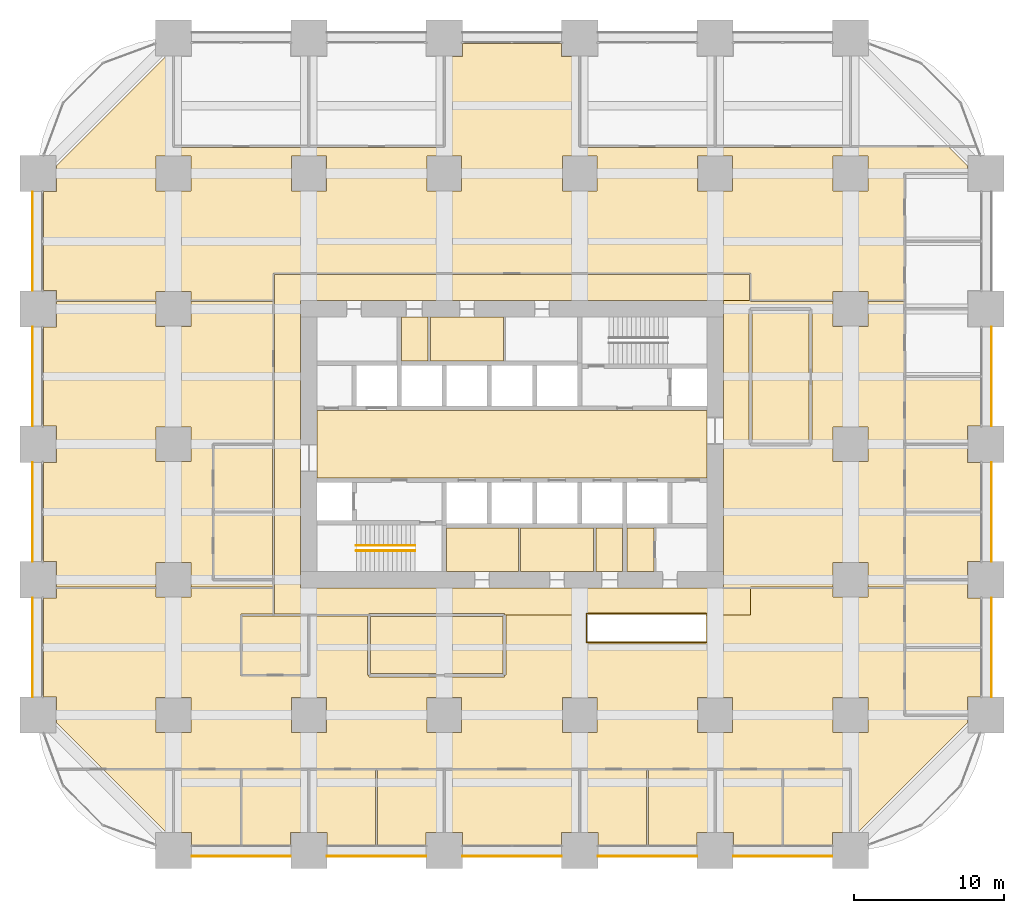
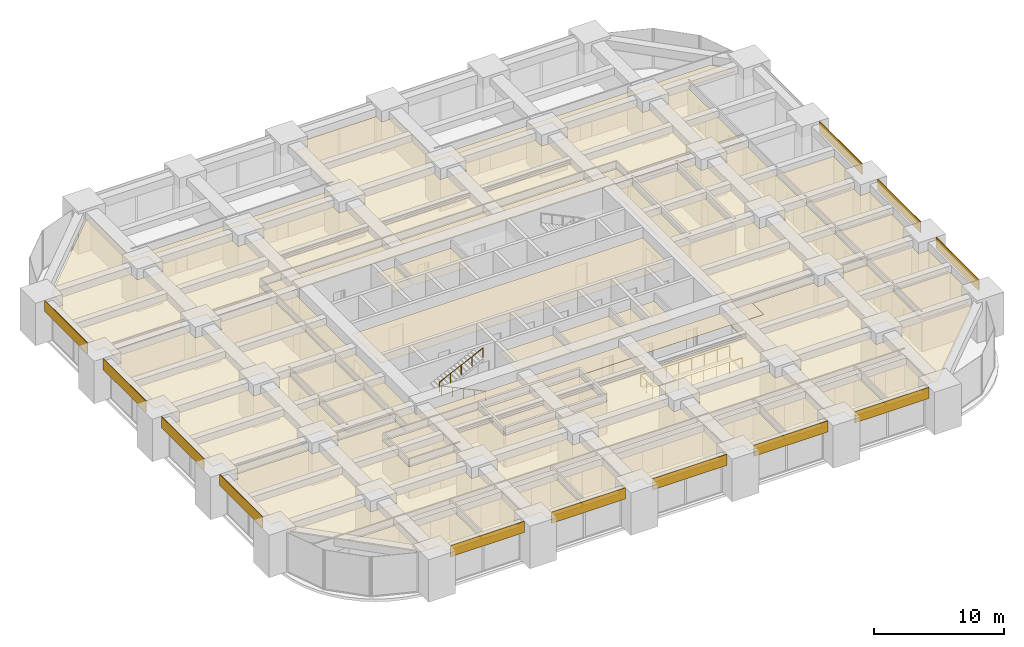
# One storey, part 44 of 45: 44 coverings, 3 railings.
"""IFC4 building model written with IfcOpenShell, lengths in metres."""

import ifcopenshell
import ifcopenshell.guid

model = None  # the IFC model being written
_history = None  # IfcOwnerHistory: only IFC2X3 demands one
_inside = {}  # id of a spatial element -> (the spatial element, [elements in it])
_under = {}  # id of a project, library or spatial element -> (it, [spatial elements below it])
_declared = {}  # id of a project -> (the project, [libraries it declares])
_typed = {}  # id of a type object -> (the type object, [elements of that type])
_made_of = {}  # id of a material, layer set ... -> (it, [elements and type objects made of it])


def new_model(schema):
    """Start an empty IFC model of exactly this schema.

    Asked for "IFC4X3", IfcOpenShell would pick the latest addendum, in which some entities
    have other attributes; the version numbers below select the first issue.
    IFC2X3 requires an IfcOwnerHistory on every rooted entity: one is made here for all.
    """
    global model, _history
    if schema == "IFC4X3":
        model = ifcopenshell.file(schema_version=(4, 3, 0, 0))
    else:
        model = ifcopenshell.file(schema=schema)
    _inside.clear()
    _under.clear()
    _declared.clear()
    _typed.clear()
    _made_of.clear()
    _history = None
    if model.schema == "IFC2X3":
        org = make("IfcOrganization", Name="unknown")
        user = make(
            "IfcPersonAndOrganization",
            ThePerson=make("IfcPerson", FamilyName="unknown"),
            TheOrganization=org,
        )
        app = make(
            "IfcApplication",
            ApplicationDeveloper=org,
            Version="unknown",
            ApplicationFullName="unknown",
            ApplicationIdentifier="unknown",
        )
        _history = make(
            "IfcOwnerHistory",
            OwningUser=user,
            OwningApplication=app,
            ChangeAction="ADDED",
            CreationDate=0,
        )
    return model


def make(cls, **values):
    """One entity of the class cls with the attributes given. An attribute that is None is left unset."""
    return model.create_entity(
        cls, **{name: value for name, value in values.items() if value is not None}
    )


def rooted(cls, **values):
    """An entity with a GlobalId (a new one), such as an element, a storey or a relation."""
    return make(cls, GlobalId=ifcopenshell.guid.new(), OwnerHistory=_history, **values)


def si_unit(unit_type, name, prefix=None):
    """IfcSIUnit, for example si_unit("LENGTHUNIT", "METRE", prefix="MILLI")."""
    return make("IfcSIUnit", UnitType=unit_type, Prefix=prefix, Name=name)


def assignment(units):
    """IfcUnitAssignment: the units of a project."""
    return None if units is None else make("IfcUnitAssignment", Units=units)


def point(xyz):
    """IfcCartesianPoint."""
    return None if xyz is None else make("IfcCartesianPoint", Coordinates=xyz)


def direction(xyz):
    """IfcDirection."""
    return None if xyz is None else make("IfcDirection", DirectionRatios=xyz)


def frame(location, z_axis=None, x_axis=None):
    """IfcAxis2Placement3D, a coordinate frame: its origin and axes. An axis left out is left unset."""
    return make(
        "IfcAxis2Placement3D",
        Location=point(location),
        Axis=direction(z_axis),
        RefDirection=direction(x_axis),
    )


def frame_2d(location, x_axis=None):
    """IfcAxis2Placement2D, a coordinate frame in the plane: its origin and x axis."""
    return make(
        "IfcAxis2Placement2D", Location=point(location), RefDirection=direction(x_axis)
    )


def origin():
    """The frame at (0, 0, 0) with its axes left unset."""
    return frame((0.0, 0.0, 0.0))


def origin_2d():
    """The frame at (0, 0) in the plane with its x axis left unset."""
    return frame_2d((0.0, 0.0))


def place(relative_to, where):
    """IfcLocalPlacement: puts the frame where relative to a parent placement (None: the world)."""
    return make(
        "IfcLocalPlacement", PlacementRelTo=relative_to, RelativePlacement=where
    )


def context(
    kind, dimensions, precision=None, world=None, true_north=None, identifier=None
):
    """IfcGeometricRepresentationContext, for example the 3D "Model" context."""
    return make(
        "IfcGeometricRepresentationContext",
        ContextIdentifier=identifier,
        ContextType=kind,
        CoordinateSpaceDimension=dimensions,
        Precision=precision,
        WorldCoordinateSystem=world,
        TrueNorth=true_north,
    )


def subcontext(parent, identifier, kind, view, scale=None):
    """IfcGeometricRepresentationSubContext, for example "Body" below "Model"."""
    return make(
        "IfcGeometricRepresentationSubContext",
        ContextIdentifier=identifier,
        ContextType=kind,
        ParentContext=parent,
        TargetScale=scale,
        TargetView=view,
    )


def project(units=None, contexts=None):
    """IfcProject with its units and contexts."""
    return rooted(
        "IfcProject",
        Name="project",
        RepresentationContexts=contexts,
        UnitsInContext=assignment(units),
    )


def spatial(cls, under=None, at=None, **own):
    """A site, building, storey or space (cls), placed at a placement, below another one or the project."""
    s = rooted(cls, ObjectPlacement=at, **own)
    if under is not None:
        _under.setdefault(under.id(), (under, []))[1].append(s)
    return s


def polyline(points):
    """IfcPolyline through the points."""
    return make("IfcPolyline", Points=[point(p) for p in points])


def profile(cls, at=None, kind="AREA", **sizes):
    """A parametric profile (cls). Its sizes go by their IFC names, for example OverallWidth=200.0."""
    return make(cls, ProfileType=kind, Position=at, **sizes)


def rectangle(**sizes):
    """IfcRectangleProfileDef."""
    return profile("IfcRectangleProfileDef", **sizes)


def circle(**sizes):
    """IfcCircleProfileDef."""
    return profile("IfcCircleProfileDef", **sizes)


def outline(outer, holes=None, kind="AREA"):
    """IfcArbitraryClosedProfileDef: a profile drawn as a closed curve; with holes, ...WithVoids."""
    if holes is None:
        return make("IfcArbitraryClosedProfileDef", ProfileType=kind, OuterCurve=outer)
    return make(
        "IfcArbitraryProfileDefWithVoids",
        ProfileType=kind,
        OuterCurve=outer,
        InnerCurves=holes,
    )


def extrude(swept, where, along, depth):
    """IfcExtrudedAreaSolid: the profile swept, set in the frame where, extruded along a direction by depth."""
    return make(
        "IfcExtrudedAreaSolid",
        SweptArea=swept,
        Position=where,
        ExtrudedDirection=direction(along),
        Depth=depth,
    )


def shape(context_of_items, identifier, shape_type, items):
    """IfcShapeRepresentation: the items that make up one representation, for example the "Body"."""
    return make(
        "IfcShapeRepresentation",
        ContextOfItems=context_of_items,
        RepresentationIdentifier=identifier,
        RepresentationType=shape_type,
        Items=items,
    )


def material(Name=None, Category=None):
    """IfcMaterial."""
    return make("IfcMaterial", Name=Name, Category=Category)


def layer(
    of_material, thickness, ventilated=None, Name=None, Category=None, Priority=None
):
    """IfcMaterialLayer: one layer of a wall or slab, of a material (None: an air gap)."""
    return make(
        "IfcMaterialLayer",
        Material=of_material,
        LayerThickness=thickness,
        IsVentilated=ventilated,
        Name=Name,
        Category=Category,
        Priority=Priority,
    )


def layer_set(layers, Name=None):
    """IfcMaterialLayerSet."""
    return make("IfcMaterialLayerSet", MaterialLayers=layers, LayerSetName=Name)


def made_of(thing, what):
    """Note that an element or type object is made of a material, layer set ...; save() writes the relation."""
    if what is not None:
        _made_of.setdefault(what.id(), (what, []))[1].append(thing)
    return thing


def type_object(cls, material=None, **own):
    """A type object (cls), such as IfcWallType, which elements share."""
    return made_of(rooted(cls, **own), material)


def element(
    cls,
    number,
    at=None,
    inside=None,
    cuts=None,
    type_object=None,
    material=None,
    context=None,
    identifier="Body",
    shape_type=None,
    held_by="IfcProductDefinitionShape",
    body=None,
    shapes=None,
    **own,
):
    """One element of the class cls, such as IfcWall. Its Tag is "e" and its number.

    at: its placement. inside: the storey or other place that contains it. cuts: it is an
    opening in that element (IfcRelVoidsElement). A single representation is given by context,
    identifier, shape_type and body (its items); several are given by shapes. held_by: the class
    of the entity that holds the representations. save() writes the other relations.
    """
    e = rooted(cls, Tag="e%d" % number, ObjectPlacement=at, **own)
    if body is not None:
        shapes = [shape(context, identifier, shape_type, body)]
    if shapes is not None:
        e.Representation = make(held_by, Representations=shapes)
    if inside is not None:
        _inside.setdefault(inside.id(), (inside, []))[1].append(e)
    if cuts is not None:
        rooted(
            "IfcRelVoidsElement", RelatingBuildingElement=cuts, RelatedOpeningElement=e
        )
    if type_object is not None:
        _typed.setdefault(type_object.id(), (type_object, []))[1].append(e)
    return made_of(e, material)


def aggregate(whole, parts):
    """IfcRelAggregates: a whole, such as a stair, and the parts it consists of."""
    return rooted("IfcRelAggregates", RelatingObject=whole, RelatedObjects=parts)


def save(model, path):
    """Write the relations noted so far, then the file.

    IfcRelAggregates (storeys below a building ...), IfcRelContainedInSpatialStructure (elements
    in a storey), IfcRelDefinesByType, IfcRelAssociatesMaterial and IfcRelDeclares: one each for
    every whole, place, type object, material and project.
    """
    for whole, parts in _under.values():
        aggregate(whole, parts)
    for where, things in _inside.values():
        rooted(
            "IfcRelContainedInSpatialStructure",
            RelatedElements=things,
            RelatingStructure=where,
        )
    for kind, things in _typed.values():
        rooted("IfcRelDefinesByType", RelatedObjects=things, RelatingType=kind)
    for what, things in _made_of.values():
        rooted("IfcRelAssociatesMaterial", RelatedObjects=things, RelatingMaterial=what)
    for by, libraries in _declared.values():
        rooted("IfcRelDeclares", RelatingContext=by, RelatedDefinitions=libraries)
    model.write(path)


model = new_model("IFC4")

# Units and contexts
model_context = context("Model", 3, precision=1e-05, world=origin(), true_north=direction((0.0, 1.0)))
body_context = subcontext(model_context, "Body", "Model", "MODEL_VIEW")
ifc_project = project(units=[si_unit("LENGTHUNIT", "METRE"), si_unit("AREAUNIT", "SQUARE_METRE"), si_unit("VOLUMEUNIT", "CUBIC_METRE"), si_unit("PLANEANGLEUNIT", "RADIAN"), si_unit("MASSUNIT", "GRAM", prefix="KILO")], contexts=[model_context])

# Site, building, storey
site_placement = place(None, origin())
site = spatial("IfcSite", under=ifc_project, at=site_placement, CompositionType="ELEMENT")
building_placement = place(site_placement, origin())
building = spatial("IfcBuilding", under=site, at=building_placement, Name="Zorevar Civic Tower", CompositionType="ELEMENT")
storey_placement = place(building_placement, frame((0.0, 0.0, 27.800048828125)))
storey = spatial("IfcBuildingStorey", under=building, at=storey_placement, Name="L06", CompositionType="ELEMENT", Elevation=27.800048828125)

# Railings
ifc_material_1 = material(Name="Laminated glass balustrade with black steel handrail", Category="steel")
railing_type_1 = type_object("IfcRailingType", Name="Balustrade BL1 1100", PredefinedType="BALUSTRADE", material=ifc_material_1)
railing_1_placement = place(storey_placement, frame((44.39990234375, 13.85009765625, 0.0)))
element("IfcRailing", 1, at=railing_1_placement, inside=storey, type_object=railing_type_1, Name="Balustrade BL1 stair void L06", PredefinedType="BALUSTRADE", context=body_context, shape_type="SweptSolid", body=[
    extrude(circle(Radius=0.02392578125, at=origin_2d()), frame((0.0, 0.0, 1.076171875), z_axis=(-1.0, 0.0, 0.0), x_axis=(0.0, -1.0, 0.0)), (0.0, 0.0, 1.0), 7.949951171875),
    extrude(circle(Radius=0.02392578125, at=origin_2d()), frame((-7.949951171875, 0.0, 1.076171875), z_axis=(0.0, 1.0, 0.0), x_axis=(-1.0, 0.0, 0.0)), (0.0, 0.0, 1.0), 1.89990234375),
    extrude(circle(Radius=0.02392578125, at=origin_2d()), frame((-7.949951171875, 1.89990234375, 1.076171875), z_axis=(1.0, 0.0, 0.0), x_axis=(0.0, 1.0, 0.0)), (0.0, 0.0, 1.0), 7.949951171875),
    extrude(circle(Radius=0.02099609375, at=origin_2d()), origin(), (0.0, 0.0, 1.0), 1.052001953125),
    extrude(circle(Radius=0.02099609375, at=origin_2d()), frame((-1.1357421875, 0.0, 0.0)), (0.0, 0.0, 1.0), 1.052001953125),
    extrude(circle(Radius=0.02099609375, at=origin_2d()), frame((-2.271484375, 0.0, 0.0)), (0.0, 0.0, 1.0), 1.052001953125),
    extrude(circle(Radius=0.02099609375, at=origin_2d()), frame((-3.4072265625, 0.0, 0.0)), (0.0, 0.0, 1.0), 1.052001953125),
    extrude(circle(Radius=0.02099609375, at=origin_2d()), frame((-4.542724609375, 0.0, 0.0)), (0.0, 0.0, 1.0), 1.052001953125),
    extrude(circle(Radius=0.02099609375, at=origin_2d()), frame((-5.678466796875, 0.0, 0.0)), (0.0, 0.0, 1.0), 1.052001953125),
    extrude(circle(Radius=0.02099609375, at=origin_2d()), frame((-6.814208984375, 0.0, 0.0)), (0.0, 0.0, 1.0), 1.052001953125),
    extrude(circle(Radius=0.02099609375, at=origin_2d()), frame((-7.949951171875, 0.0, 0.0)), (0.0, 0.0, 1.0), 1.052001953125),
    extrude(circle(Radius=0.02099609375, at=origin_2d()), frame((-7.949951171875, 0.949951171875, 0.0)), (0.0, 0.0, 1.0), 1.052001953125),
    extrude(circle(Radius=0.02099609375, at=origin_2d()), frame((-7.949951171875, 1.89990234375, 0.0)), (0.0, 0.0, 1.0), 1.052001953125),
    extrude(circle(Radius=0.02099609375, at=origin_2d()), frame((-6.814208984375, 1.89990234375, 0.0)), (0.0, 0.0, 1.0), 1.052001953125),
    extrude(circle(Radius=0.02099609375, at=origin_2d()), frame((-5.678466796875, 1.89990234375, 0.0)), (0.0, 0.0, 1.0), 1.052001953125),
    extrude(circle(Radius=0.02099609375, at=origin_2d()), frame((-4.542724609375, 1.89990234375, 0.0)), (0.0, 0.0, 1.0), 1.052001953125),
    extrude(circle(Radius=0.02099609375, at=origin_2d()), frame((-3.4072265625, 1.89990234375, 0.0)), (0.0, 0.0, 1.0), 1.052001953125),
    extrude(circle(Radius=0.02099609375, at=origin_2d()), frame((-2.271484375, 1.89990234375, 0.0)), (0.0, 0.0, 1.0), 1.052001953125),
    extrude(circle(Radius=0.02099609375, at=origin_2d()), frame((-1.1357421875, 1.89990234375, 0.0)), (0.0, 0.0, 1.0), 1.052001953125),
    extrude(circle(Radius=0.02099609375, at=origin_2d()), frame((0.0, 1.89990234375, 0.0)), (0.0, 0.0, 1.0), 1.052001953125),
])
ifc_material_2 = material(Name="Black steel handrail", Category="steel")
railing_type_2 = type_object("IfcRailingType", Name="Handrail HR1 900", PredefinedType="HANDRAIL", material=ifc_material_2)
railing_2_placement = place(storey_placement, frame((25.050048828125, 19.925048828125, 0.142822265625)))
element("IfcRailing", 2, at=railing_2_placement, inside=storey, type_object=railing_type_2, Name="Handrail HR1 ST1 L06", PredefinedType="HANDRAIL", context=body_context, shape_type="SweptSolid", body=[
    extrude(circle(Radius=0.02392578125, at=origin_2d()), frame((0.0, 0.0, 0.8759765625), z_axis=(-0.902863652845, 0.0, 0.429926998885), x_axis=(0.0, -1.0, 0.0)), (0.0, 0.0, 1.0), 4.31982421875),
    extrude(circle(Radius=0.02099609375, at=origin_2d()), origin(), (0.0, 0.0, 1.0), 0.851806640625),
    extrude(circle(Radius=0.02099609375, at=origin_2d()), frame((-0.97509765625, 0.0, 0.46435546875)), (0.0, 0.0, 1.0), 0.851806640625),
    extrude(circle(Radius=0.02099609375, at=origin_2d()), frame((-1.9501953125, 0.0, 0.9287109375)), (0.0, 0.0, 1.0), 0.851806640625),
    extrude(circle(Radius=0.02099609375, at=origin_2d()), frame((-2.925048828125, 0.0, 1.392822265625)), (0.0, 0.0, 1.0), 0.851806640625),
    extrude(circle(Radius=0.02099609375, at=origin_2d()), frame((-3.900146484375, 0.0, 1.857177734375)), (0.0, 0.0, 1.0), 0.851806640625),
])
railing_3_placement = place(storey_placement, frame((21.14990234375, 20.27490234375, 2.142822265625)))
element("IfcRailing", 3, at=railing_3_placement, inside=storey, type_object=railing_type_2, Name="Handrail HR1 ST1 L06", PredefinedType="HANDRAIL", context=body_context, shape_type="SweptSolid", body=[
    extrude(circle(Radius=0.02392578125, at=origin_2d()), frame((0.0, 0.0, 0.8759765625), z_axis=(0.902863652845, 0.0, 0.429926998885), x_axis=(0.0, 1.0, 0.0)), (0.0, 0.0, 1.0), 4.31982421875),
    extrude(circle(Radius=0.02099609375, at=origin_2d()), origin(), (0.0, 0.0, 1.0), 0.851806640625),
    extrude(circle(Radius=0.02099609375, at=origin_2d()), frame((0.97509765625, 0.0, 0.46435546875)), (0.0, 0.0, 1.0), 0.851806640625),
    extrude(circle(Radius=0.02099609375, at=origin_2d()), frame((1.9501953125, 0.0, 0.9287109375)), (0.0, 0.0, 1.0), 0.851806640625),
    extrude(circle(Radius=0.02099609375, at=origin_2d()), frame((2.925048828125, 0.0, 1.392822265625)), (0.0, 0.0, 1.0), 0.851806640625),
    extrude(circle(Radius=0.02099609375, at=origin_2d()), frame((3.900146484375, 0.0, 1.857177734375)), (0.0, 0.0, 1.0), 0.851806640625),
])

# Coverings
ifc_material_3 = material(Name="Moisture-resistant gypsum board")
ifc_layer_1 = layer(ifc_material_3, 0.012451171875)
ifc_layer_set_1 = layer_set([ifc_layer_1], Name="Moisture-resistant ceiling SC3")
covering_type_1 = type_object("IfcCoveringType", Name="Moisture-resistant ceiling SC3", PredefinedType="CEILING", material=ifc_layer_set_1)
covering_1_placement = place(storey_placement, frame((0.0, 0.0, 3.0)))
element("IfcCovering", 4, at=covering_1_placement, inside=storey, type_object=covering_type_1, Name="Ceiling L06-05", PredefinedType="CEILING", context=body_context, shape_type="SweptSolid", body=[
    extrude(outline(polyline([(31.925048828125, 18.550048828125), (31.925048828125, 21.449951171875), (27.14990234375, 21.449951171875), (27.14990234375, 18.550048828125), (31.925048828125, 18.550048828125)])), origin(), (0.0, 0.0, 1.0), 0.012451171875),
])
covering_2_placement = place(storey_placement, frame((0.0, 0.0, 3.0)))
element("IfcCovering", 5, at=covering_2_placement, inside=storey, type_object=covering_type_1, Name="Ceiling L06-06", PredefinedType="CEILING", context=body_context, shape_type="SweptSolid", body=[
    extrude(outline(polyline([(36.925048828125, 18.550048828125), (36.925048828125, 21.449951171875), (32.074951171875, 21.449951171875), (32.074951171875, 18.550048828125), (36.925048828125, 18.550048828125)])), origin(), (0.0, 0.0, 1.0), 0.012451171875),
])
covering_3_placement = place(storey_placement, frame((0.0, 0.0, 3.0)))
element("IfcCovering", 6, at=covering_3_placement, inside=storey, type_object=covering_type_1, Name="Ceiling L06-07", PredefinedType="CEILING", context=body_context, shape_type="SweptSolid", body=[
    extrude(outline(polyline([(38.85009765625, 18.550048828125), (38.85009765625, 21.449951171875), (37.074951171875, 21.449951171875), (37.074951171875, 18.550048828125), (38.85009765625, 18.550048828125)])), origin(), (0.0, 0.0, 1.0), 0.012451171875),
])
covering_4_placement = place(storey_placement, frame((0.0, 0.0, 3.0)))
element("IfcCovering", 7, at=covering_4_placement, inside=storey, type_object=covering_type_1, Name="Ceiling L06-09", PredefinedType="CEILING", context=body_context, shape_type="SweptSolid", body=[
    extrude(outline(polyline([(30.925048828125, 32.550048828125), (30.925048828125, 35.449951171875), (26.074951171875, 35.449951171875), (26.074951171875, 32.550048828125), (30.925048828125, 32.550048828125)])), origin(), (0.0, 0.0, 1.0), 0.012451171875),
])
covering_5_placement = place(storey_placement, frame((0.0, 0.0, 3.0)))
element("IfcCovering", 8, at=covering_5_placement, inside=storey, type_object=covering_type_1, Name="Ceiling L06-10", PredefinedType="CEILING", context=body_context, shape_type="SweptSolid", body=[
    extrude(outline(polyline([(25.925048828125, 32.550048828125), (25.925048828125, 35.449951171875), (24.14990234375, 35.449951171875), (24.14990234375, 32.550048828125), (25.925048828125, 32.550048828125)])), origin(), (0.0, 0.0, 1.0), 0.012451171875),
])
ifc_material_4 = material(Name="Black anodised aluminium spandrel panel", Category="aluminium")
ifc_layer_2 = layer(ifc_material_4, 0.050048828125)
ifc_layer_set_2 = layer_set([ifc_layer_2], Name="Spandrel cladding SP1")
covering_type_2 = type_object("IfcCoveringType", Name="Spandrel cladding SP1", PredefinedType="CLADDING", material=ifc_layer_set_2)
for number, where, z_axis, x_axis, name in (
    (9, (10.199951171875, -0.375, 2.949951171875), (0.0, 0.0, 1.0), (1.0, 0.0, 0.0), "Spandrel cladding L07"),
    (10, (19.199951171875, -0.375, 2.949951171875), (0.0, 0.0, 1.0), (1.0, 0.0, 0.0), "Spandrel cladding L07"),
    (11, (28.199951171875, -0.375, 2.949951171875), (0.0, 0.0, 1.0), (1.0, 0.0, 0.0), "Spandrel cladding L07"),
    (12, (37.199951171875, -0.375, 2.949951171875), (0.0, 0.0, 1.0), (1.0, 0.0, 0.0), "Spandrel cladding L07"),
    (13, (46.199951171875, -0.375, 2.949951171875), (0.0, 0.0, 1.0), (1.0, 0.0, 0.0), "Spandrel cladding L07"),
    (14, (-0.375, 10.199951171875, 2.949951171875), (0.0, 0.0, 1.0), (0.0, 1.0, 0.0), "Spandrel cladding L07"),
    (15, (-0.375, 19.199951171875, 2.949951171875), (0.0, 0.0, 1.0), (0.0, 1.0, 0.0), "Spandrel cladding L07"),
    (16, (-0.375, 28.199951171875, 2.949951171875), (0.0, 0.0, 1.0), (0.0, 1.0, 0.0), "Spandrel cladding L07"),
    (17, (-0.375, 37.199951171875, 2.949951171875), (0.0, 0.0, 1.0), (0.0, 1.0, 0.0), "Spandrel cladding L07"),
    (18, (63.375, 10.199951171875, 2.949951171875), (0.0, 0.0, 1.0), (0.0, 1.0, 0.0), "Spandrel cladding L07"),
    (19, (63.375, 19.199951171875, 2.949951171875), (0.0, 0.0, 1.0), (0.0, 1.0, 0.0), "Spandrel cladding L07"),
    (20, (63.375, 28.199951171875, 2.949951171875), (0.0, 0.0, 1.0), (0.0, 1.0, 0.0), "Spandrel cladding L07"),
):
    element("IfcCovering", number, at=place(storey_placement, frame(where, z_axis=z_axis, x_axis=x_axis)), inside=storey, type_object=covering_type_2, Name=name, PredefinedType="CLADDING", context=body_context, shape_type="SweptSolid", body=[
        extrude(rectangle(XDim=6.60009765625, YDim=0.050048828125, at=frame_2d((3.300048828125, 0.0))), origin(), (0.0, 0.0, 1.0), 1.050048828125),
    ])
ifc_material_5 = material(Name="Mineral fibre tiles on a concealed grid")
ifc_layer_3 = layer(ifc_material_5, 0.02001953125)
ifc_layer_set_3 = layer_set([ifc_layer_3], Name="Suspended ceiling SC1")
covering_type_3 = type_object("IfcCoveringType", Name="Suspended ceiling SC1", PredefinedType="CEILING", material=ifc_layer_set_3)
covering_6_placement = place(storey_placement, frame((0.0, 0.0, 3.0)))
element("IfcCovering", 21, at=covering_6_placement, inside=storey, type_object=covering_type_3, Name="Ceiling L06-11", PredefinedType="CEILING", context=body_context, shape_type="SweptSolid", body=[
    extrude(outline(polyline([(40.93994140625, 18.550048828125), (40.93994140625, 21.449951171875), (39.14990234375, 21.449951171875), (39.14990234375, 18.550048828125), (40.93994140625, 18.550048828125)])), origin(), (0.0, 0.0, 1.0), 0.02001953125),
])
covering_7_placement = place(storey_placement, frame((0.0, 0.0, 3.0)))
element("IfcCovering", 22, at=covering_7_placement, inside=storey, type_object=covering_type_3, Name="Ceiling L06-16", PredefinedType="CEILING", context=body_context, shape_type="SweptSolid", body=[
    extrude(outline(polyline([(44.449951171875, 24.75), (44.449951171875, 29.25), (18.550048828125, 29.25), (18.550048828125, 24.75), (44.449951171875, 24.75)])), origin(), (0.0, 0.0, 1.0), 0.02001953125),
])
covering_8_placement = place(storey_placement, frame((0.0, 0.0, 3.0)))
element("IfcCovering", 23, at=covering_8_placement, inside=storey, type_object=covering_type_3, Name="Ceiling L06-17", PredefinedType="CEILING", context=body_context, shape_type="SweptSolid", body=[
    extrude(outline(polyline([(13.43994140625, 5.340087890625), (13.43994140625, 0.35009765625), (10.2099609375, 0.35009765625), (10.2099609375, 1.2099609375), (9.06005859375, 1.2099609375), (9.06005859375, 5.340087890625), (13.43994140625, 5.340087890625)])), origin(), (0.0, 0.0, 1.0), 0.02001953125),
])
covering_9_placement = place(storey_placement, frame((0.0, 0.0, 3.0)))
element("IfcCovering", 24, at=covering_9_placement, inside=storey, type_object=covering_type_3, Name="Ceiling L06-18", PredefinedType="CEILING", context=body_context, shape_type="SweptSolid", body=[
    extrude(outline(polyline([(17.93994140625, 5.340087890625), (17.93994140625, 1.2099609375), (16.7900390625, 1.2099609375), (16.7900390625, 0.35009765625), (13.56005859375, 0.35009765625), (13.56005859375, 5.340087890625), (17.93994140625, 5.340087890625)])), origin(), (0.0, 0.0, 1.0), 0.02001953125),
])
covering_10_placement = place(storey_placement, frame((0.0, 0.0, 3.0)))
element("IfcCovering", 25, at=covering_10_placement, inside=storey, type_object=covering_type_3, Name="Ceiling L06-19", PredefinedType="CEILING", context=body_context, shape_type="SweptSolid", body=[
    extrude(outline(polyline([(22.43994140625, 5.340087890625), (22.43994140625, 0.35009765625), (19.2099609375, 0.35009765625), (19.2099609375, 1.2099609375), (18.06005859375, 1.2099609375), (18.06005859375, 5.340087890625), (22.43994140625, 5.340087890625)])), origin(), (0.0, 0.0, 1.0), 0.02001953125),
])
covering_11_placement = place(storey_placement, frame((0.0, 0.0, 3.0)))
element("IfcCovering", 26, at=covering_11_placement, inside=storey, type_object=covering_type_3, Name="Ceiling L06-20", PredefinedType="CEILING", context=body_context, shape_type="SweptSolid", body=[
    extrude(outline(polyline([(26.93994140625, 5.340087890625), (26.93994140625, 1.2099609375), (25.7900390625, 1.2099609375), (25.7900390625, 0.35009765625), (22.56005859375, 0.35009765625), (22.56005859375, 5.340087890625), (26.93994140625, 5.340087890625)])), origin(), (0.0, 0.0, 1.0), 0.02001953125),
])
covering_12_placement = place(storey_placement, frame((0.0, 0.0, 3.0)))
element("IfcCovering", 27, at=covering_12_placement, inside=storey, type_object=covering_type_3, Name="Ceiling L06-21", PredefinedType="CEILING", context=body_context, shape_type="SweptSolid", body=[
    extrude(outline(polyline([(28.2099609375, 0.35009765625), (28.2099609375, 1.2099609375), (27.06005859375, 1.2099609375), (27.06005859375, 5.340087890625), (35.93994140625, 5.340087890625), (35.93994140625, 1.2099609375), (34.7900390625, 1.2099609375), (34.7900390625, 0.35009765625), (28.2099609375, 0.35009765625)])), origin(), (0.0, 0.0, 1.0), 0.02001953125),
])
covering_13_placement = place(storey_placement, frame((0.0, 0.0, 3.0)))
element("IfcCovering", 28, at=covering_13_placement, inside=storey, type_object=covering_type_3, Name="Ceiling L06-22", PredefinedType="CEILING", context=body_context, shape_type="SweptSolid", body=[
    extrude(outline(polyline([(40.43994140625, 5.340087890625), (40.43994140625, 0.35009765625), (37.2099609375, 0.35009765625), (37.2099609375, 1.2099609375), (36.06005859375, 1.2099609375), (36.06005859375, 5.340087890625), (40.43994140625, 5.340087890625)])), origin(), (0.0, 0.0, 1.0), 0.02001953125),
])
covering_14_placement = place(storey_placement, frame((0.0, 0.0, 3.0)))
element("IfcCovering", 29, at=covering_14_placement, inside=storey, type_object=covering_type_3, Name="Ceiling L06-23", PredefinedType="CEILING", context=body_context, shape_type="SweptSolid", body=[
    extrude(outline(polyline([(44.93994140625, 5.340087890625), (44.93994140625, 1.2099609375), (43.7900390625, 1.2099609375), (43.7900390625, 0.35009765625), (40.56005859375, 0.35009765625), (40.56005859375, 5.340087890625), (44.93994140625, 5.340087890625)])), origin(), (0.0, 0.0, 1.0), 0.02001953125),
])
covering_15_placement = place(storey_placement, frame((0.0, 0.0, 3.0)))
element("IfcCovering", 30, at=covering_15_placement, inside=storey, type_object=covering_type_3, Name="Ceiling L06-24", PredefinedType="CEILING", context=body_context, shape_type="SweptSolid", body=[
    extrude(outline(polyline([(49.43994140625, 5.340087890625), (49.43994140625, 0.35009765625), (46.2099609375, 0.35009765625), (46.2099609375, 1.2099609375), (45.06005859375, 1.2099609375), (45.06005859375, 5.340087890625), (49.43994140625, 5.340087890625)])), origin(), (0.0, 0.0, 1.0), 0.02001953125),
])
covering_16_placement = place(storey_placement, frame((0.0, 0.0, 3.0)))
element("IfcCovering", 31, at=covering_16_placement, inside=storey, type_object=covering_type_3, Name="Ceiling L06-25", PredefinedType="CEILING", context=body_context, shape_type="SweptSolid", body=[
    extrude(outline(polyline([(53.93994140625, 5.340087890625), (53.93994140625, 1.2099609375), (52.7900390625, 1.2099609375), (52.7900390625, 0.35009765625), (49.56005859375, 0.35009765625), (49.56005859375, 5.340087890625), (53.93994140625, 5.340087890625)])), origin(), (0.0, 0.0, 1.0), 0.02001953125),
])
covering_17_placement = place(storey_placement, frame((0.0, 0.0, 3.0)))
element("IfcCovering", 32, at=covering_17_placement, inside=storey, type_object=covering_type_3, Name="Ceiling L06-26", PredefinedType="CEILING", context=body_context, shape_type="SweptSolid", body=[
    extrude(outline(polyline([(8.93994140625, 5.340087890625), (8.93994140625, 1.2099609375), (8.4970703125, 1.2099609375), (4.3671875, 5.340087890625), (8.93994140625, 5.340087890625)])), origin(), (0.0, 0.0, 1.0), 0.02001953125),
])
covering_18_placement = place(storey_placement, frame((0.0, 0.0, 3.0)))
element("IfcCovering", 33, at=covering_18_placement, inside=storey, type_object=covering_type_3, Name="Ceiling L06-27", PredefinedType="CEILING", context=body_context, shape_type="SweptSolid", body=[
    extrude(outline(polyline([(22.10009765625, 11.75), (22.10009765625, 15.550048828125), (30.89990234375, 15.550048828125), (30.89990234375, 11.75), (22.10009765625, 11.75)])), origin(), (0.0, 0.0, 1.0), 0.02001953125),
])
covering_19_placement = place(storey_placement, frame((0.0, 0.0, 3.0)))
element("IfcCovering", 34, at=covering_19_placement, inside=storey, type_object=covering_type_3, Name="Ceiling L06-28", PredefinedType="CEILING", context=body_context, shape_type="SweptSolid", body=[
    extrude(outline(polyline([(13.56005859375, 15.590087890625), (17.93994140625, 15.590087890625), (17.93994140625, 11.7099609375), (13.56005859375, 11.7099609375), (13.56005859375, 15.590087890625)])), origin(), (0.0, 0.0, 1.0), 0.02001953125),
])
covering_20_placement = place(storey_placement, frame((0.0, 0.0, 3.0)))
element("IfcCovering", 35, at=covering_20_placement, inside=storey, type_object=covering_type_3, Name="Ceiling L06-29", PredefinedType="CEILING", context=body_context, shape_type="SweptSolid", body=[
    extrude(outline(polyline([(15.590087890625, 22.56005859375), (11.7099609375, 22.56005859375), (11.7099609375, 26.93994140625), (15.590087890625, 26.93994140625), (15.590087890625, 22.56005859375)])), origin(), (0.0, 0.0, 1.0), 0.02001953125),
])
covering_21_placement = place(storey_placement, frame((0.0, 0.0, 3.0)))
element("IfcCovering", 36, at=covering_21_placement, inside=storey, type_object=covering_type_3, Name="Ceiling L06-34", PredefinedType="CEILING", context=body_context, shape_type="SweptSolid", body=[
    extrude(outline(polyline([(11.7099609375, 18.06005859375), (11.7099609375, 22.43994140625), (15.590087890625, 22.43994140625), (15.590087890625, 18.06005859375), (11.7099609375, 18.06005859375)])), origin(), (0.0, 0.0, 1.0), 0.02001953125),
])
covering_22_placement = place(storey_placement, frame((0.0, 0.0, 3.0)))
element("IfcCovering", 37, at=covering_22_placement, inside=storey, type_object=covering_type_3, Name="Ceiling L06-35", PredefinedType="CEILING", context=body_context, shape_type="SweptSolid", body=[
    extrude(outline(polyline([(57.659912109375, 13.43994140625), (62.64990234375, 13.43994140625), (62.64990234375, 10.2099609375), (61.7900390625, 10.2099609375), (61.7900390625, 9.06005859375), (57.659912109375, 9.06005859375), (57.659912109375, 13.43994140625)])), origin(), (0.0, 0.0, 1.0), 0.02001953125),
])
covering_23_placement = place(storey_placement, frame((0.0, 0.0, 3.0)))
element("IfcCovering", 38, at=covering_23_placement, inside=storey, type_object=covering_type_3, Name="Ceiling L06-36", PredefinedType="CEILING", context=body_context, shape_type="SweptSolid", body=[
    extrude(outline(polyline([(57.659912109375, 17.93994140625), (61.7900390625, 17.93994140625), (61.7900390625, 16.7900390625), (62.64990234375, 16.7900390625), (62.64990234375, 13.56005859375), (57.659912109375, 13.56005859375), (57.659912109375, 17.93994140625)])), origin(), (0.0, 0.0, 1.0), 0.02001953125),
])
covering_24_placement = place(storey_placement, frame((0.0, 0.0, 3.0)))
element("IfcCovering", 39, at=covering_24_placement, inside=storey, type_object=covering_type_3, Name="Ceiling L06-37", PredefinedType="CEILING", context=body_context, shape_type="SweptSolid", body=[
    extrude(outline(polyline([(57.659912109375, 22.43994140625), (62.64990234375, 22.43994140625), (62.64990234375, 19.2099609375), (61.7900390625, 19.2099609375), (61.7900390625, 18.06005859375), (57.659912109375, 18.06005859375), (57.659912109375, 22.43994140625)])), origin(), (0.0, 0.0, 1.0), 0.02001953125),
])
covering_25_placement = place(storey_placement, frame((0.0, 0.0, 3.0)))
element("IfcCovering", 40, at=covering_25_placement, inside=storey, type_object=covering_type_3, Name="Ceiling L06-38", PredefinedType="CEILING", context=body_context, shape_type="SweptSolid", body=[
    extrude(outline(polyline([(57.659912109375, 26.93994140625), (61.7900390625, 26.93994140625), (61.7900390625, 25.7900390625), (62.64990234375, 25.7900390625), (62.64990234375, 22.56005859375), (57.659912109375, 22.56005859375), (57.659912109375, 26.93994140625)])), origin(), (0.0, 0.0, 1.0), 0.02001953125),
])
covering_26_placement = place(storey_placement, frame((0.0, 0.0, 3.0)))
element("IfcCovering", 41, at=covering_26_placement, inside=storey, type_object=covering_type_3, Name="Ceiling L06-39", PredefinedType="CEILING", context=body_context, shape_type="SweptSolid", body=[
    extrude(outline(polyline([(57.659912109375, 31.43994140625), (62.64990234375, 31.43994140625), (62.64990234375, 28.2099609375), (61.7900390625, 28.2099609375), (61.7900390625, 27.06005859375), (57.659912109375, 27.06005859375), (57.659912109375, 31.43994140625)])), origin(), (0.0, 0.0, 1.0), 0.02001953125),
])
covering_27_placement = place(storey_placement, frame((0.0, 0.0, 3.0)))
element("IfcCovering", 42, at=covering_27_placement, inside=storey, type_object=covering_type_3, Name="Ceiling L06-43", PredefinedType="CEILING", context=body_context, shape_type="SweptSolid", body=[
    extrude(outline(polyline([(47.449951171875, 35.89990234375), (51.25, 35.89990234375), (51.25, 27.10009765625), (47.449951171875, 27.10009765625), (47.449951171875, 35.89990234375)])), origin(), (0.0, 0.0, 1.0), 0.02001953125),
])
covering_28_placement = place(storey_placement, frame((0.0, 0.0, 3.0)))
element("IfcCovering", 43, at=covering_28_placement, inside=storey, type_object=covering_type_3, Name="Ceiling L06-45", PredefinedType="CEILING", context=body_context, shape_type="SweptSolid", body=[
    extrude(outline(polyline([(36.5, 15.64990234375), (31.0, 15.64990234375), (31.0, 15.75), (22.0, 15.75), (22.0, 15.699951171875), (18.0, 15.699951171875), (18.0, 15.7099609375), (15.699951171875, 15.7099609375), (15.699951171875, 18.0), (15.7099609375, 18.0), (15.7099609375, 27.0), (15.699951171875, 27.0), (15.699951171875, 38.300048828125), (47.300048828125, 38.300048828125), (47.300048828125, 36.550048828125), (17.449951171875, 36.550048828125), (17.449951171875, 17.449951171875), (47.35009765625, 17.449951171875), (47.35009765625, 15.64990234375), (44.39990234375, 15.64990234375), (44.39990234375, 15.699951171875), (36.5, 15.699951171875), (36.5, 15.64990234375)])), origin(), (0.0, 0.0, 1.0), 0.02001953125),
])
covering_29_placement = place(storey_placement, frame((0.0, 0.0, 3.0)))
element("IfcCovering", 44, at=covering_29_placement, inside=storey, type_object=covering_type_3, Name="Ceiling L06-46", PredefinedType="CEILING", context=body_context, shape_type="SweptSolid", body=[
    extrude(outline(polyline([(55.159912109375, 19.159912109375), (52.840087890625, 19.159912109375), (52.840087890625, 17.5), (47.35009765625, 17.5), (47.35009765625, 17.449951171875), (45.550048828125, 17.449951171875), (45.550048828125, 36.550048828125), (47.35009765625, 36.550048828125), (47.35009765625, 36.5), (52.840087890625, 36.5), (52.840087890625, 34.840087890625), (55.159912109375, 34.840087890625), (55.159912109375, 36.5), (57.5400390625, 36.5), (57.5400390625, 17.5), (55.159912109375, 17.5), (55.159912109375, 19.159912109375)]), holes=[polyline([(51.449951171875, 36.0), (51.35009765625, 36.0), (51.35009765625, 36.10009765625), (47.35009765625, 36.10009765625), (47.35009765625, 36.0), (47.25, 36.0), (47.25, 27.0), (47.35009765625, 27.0), (47.35009765625, 26.89990234375), (51.35009765625, 26.89990234375), (51.35009765625, 27.0), (51.449951171875, 27.0), (51.449951171875, 36.0)]), polyline([(52.840087890625, 28.159912109375), (52.840087890625, 25.840087890625), (55.159912109375, 25.840087890625), (55.159912109375, 28.159912109375), (52.840087890625, 28.159912109375)])]), origin(), (0.0, 0.0, 1.0), 0.02001953125),
])
covering_30_placement = place(storey_placement, frame((0.0, 0.0, 3.0)))
element("IfcCovering", 45, at=covering_30_placement, inside=storey, type_object=covering_type_3, Name="Ceiling L06-47", PredefinedType="CEILING", context=body_context, shape_type="SweptSolid", body=[
    extrude(outline(polyline([(61.7900390625, 45.5029296875), (61.7900390625, 45.06005859375), (57.60009765625, 45.06005859375), (57.60009765625, 45.0), (57.5400390625, 45.0), (57.5400390625, 36.60009765625), (55.159912109375, 36.60009765625), (55.159912109375, 37.159912109375), (52.840087890625, 37.159912109375), (52.840087890625, 36.60009765625), (47.39990234375, 36.60009765625), (47.39990234375, 38.35009765625), (47.35009765625, 38.35009765625), (47.35009765625, 38.39990234375), (15.64990234375, 38.39990234375), (15.64990234375, 38.35009765625), (15.60009765625, 38.35009765625), (15.60009765625, 36.60009765625), (10.159912109375, 36.60009765625), (10.159912109375, 37.159912109375), (7.840087890625, 37.159912109375), (7.840087890625, 36.60009765625), (1.2099609375, 36.60009765625), (1.2099609375, 37.2099609375), (0.35009765625, 37.2099609375), (0.35009765625, 43.7900390625), (1.2099609375, 43.7900390625), (1.2099609375, 45.5029296875), (8.4970703125, 52.7900390625), (8.93994140625, 52.7900390625), (8.93994140625, 46.800048828125), (9.0, 46.800048828125), (9.0, 46.739990234375), (27.0, 46.739990234375), (27.0, 46.800048828125), (27.06005859375, 46.800048828125), (27.06005859375, 52.7900390625), (28.2099609375, 52.7900390625), (28.2099609375, 53.64990234375), (34.7900390625, 53.64990234375), (34.7900390625, 52.7900390625), (35.93994140625, 52.7900390625), (35.93994140625, 46.800048828125), (36.0, 46.800048828125), (36.0, 46.739990234375), (54.0, 46.739990234375), (54.0, 46.75), (60.54296875, 46.75), (61.7900390625, 45.5029296875)]), holes=[polyline([(10.159912109375, 46.159912109375), (7.840087890625, 46.159912109375), (7.840087890625, 43.840087890625), (10.159912109375, 43.840087890625), (10.159912109375, 46.159912109375)]), polyline([(16.840087890625, 43.840087890625), (19.159912109375, 43.840087890625), (19.159912109375, 46.159912109375), (16.840087890625, 46.159912109375), (16.840087890625, 43.840087890625)]), polyline([(25.840087890625, 46.159912109375), (25.840087890625, 43.840087890625), (28.159912109375, 43.840087890625), (28.159912109375, 46.159912109375), (25.840087890625, 46.159912109375)]), polyline([(37.159912109375, 43.840087890625), (37.159912109375, 46.159912109375), (34.840087890625, 46.159912109375), (34.840087890625, 43.840087890625), (37.159912109375, 43.840087890625)]), polyline([(43.840087890625, 46.159912109375), (43.840087890625, 43.840087890625), (46.159912109375, 43.840087890625), (46.159912109375, 46.159912109375), (43.840087890625, 46.159912109375)]), polyline([(55.159912109375, 43.840087890625), (55.159912109375, 46.159912109375), (52.840087890625, 46.159912109375), (52.840087890625, 43.840087890625), (55.159912109375, 43.840087890625)])]), origin(), (0.0, 0.0, 1.0), 0.02001953125),
])
covering_31_placement = place(storey_placement, frame((0.0, 0.0, 3.0)))
element("IfcCovering", 46, at=covering_31_placement, inside=storey, type_object=covering_type_3, Name="Ceiling L06-48", PredefinedType="CEILING", context=body_context, shape_type="SweptSolid", body=[
    extrude(outline(polyline([(47.35009765625, 15.64990234375), (47.35009765625, 17.39990234375), (52.840087890625, 17.39990234375), (52.840087890625, 16.840087890625), (55.159912109375, 16.840087890625), (55.159912109375, 17.39990234375), (57.5400390625, 17.39990234375), (57.5400390625, 9.0), (57.60009765625, 9.0), (57.60009765625, 8.93994140625), (61.7900390625, 8.93994140625), (61.7900390625, 8.4970703125), (54.5029296875, 1.2099609375), (54.06005859375, 1.2099609375), (54.06005859375, 5.39990234375), (54.0, 5.39990234375), (54.0, 5.4599609375), (4.2470703125, 5.4599609375), (1.2099609375, 8.4970703125), (1.2099609375, 10.2099609375), (0.35009765625, 10.2099609375), (0.35009765625, 16.7900390625), (1.2099609375, 16.7900390625), (1.2099609375, 17.39990234375), (7.840087890625, 17.39990234375), (7.840087890625, 16.840087890625), (10.159912109375, 16.840087890625), (10.159912109375, 17.39990234375), (15.60009765625, 17.39990234375), (15.60009765625, 15.7099609375), (13.5, 15.7099609375), (13.5, 15.64990234375), (13.43994140625, 15.64990234375), (13.43994140625, 11.64990234375), (13.5, 11.64990234375), (13.5, 11.590087890625), (18.0, 11.590087890625), (18.0, 11.64990234375), (18.06005859375, 11.64990234375), (18.06005859375, 15.60009765625), (21.89990234375, 15.60009765625), (21.89990234375, 11.64990234375), (22.0, 11.64990234375), (22.0, 11.550048828125), (31.0, 11.550048828125), (31.0, 11.64990234375), (31.10009765625, 11.64990234375), (31.10009765625, 15.64990234375), (36.5, 15.64990234375), (36.5, 13.89990234375), (44.39990234375, 13.89990234375), (44.39990234375, 15.64990234375), (47.35009765625, 15.64990234375)]), holes=[polyline([(10.159912109375, 7.840087890625), (10.159912109375, 10.159912109375), (7.840087890625, 10.159912109375), (7.840087890625, 7.840087890625), (10.159912109375, 7.840087890625)]), polyline([(16.840087890625, 10.159912109375), (16.840087890625, 7.840087890625), (19.159912109375, 7.840087890625), (19.159912109375, 10.159912109375), (16.840087890625, 10.159912109375)]), polyline([(28.159912109375, 10.159912109375), (25.840087890625, 10.159912109375), (25.840087890625, 7.840087890625), (28.159912109375, 7.840087890625), (28.159912109375, 10.159912109375)]), polyline([(37.159912109375, 7.840087890625), (37.159912109375, 10.159912109375), (34.840087890625, 10.159912109375), (34.840087890625, 7.840087890625), (37.159912109375, 7.840087890625)]), polyline([(43.840087890625, 7.840087890625), (46.159912109375, 7.840087890625), (46.159912109375, 10.159912109375), (43.840087890625, 10.159912109375), (43.840087890625, 7.840087890625)]), polyline([(55.159912109375, 10.159912109375), (52.840087890625, 10.159912109375), (52.840087890625, 7.840087890625), (55.159912109375, 7.840087890625), (55.159912109375, 10.159912109375)])]), origin(), (0.0, 0.0, 1.0), 0.02001953125),
])
covering_32_placement = place(storey_placement, frame((0.0, 0.0, 3.0)))
element("IfcCovering", 47, at=covering_32_placement, inside=storey, type_object=covering_type_3, Name="Ceiling L06-49", PredefinedType="CEILING", context=body_context, shape_type="SweptSolid", body=[
    extrude(outline(polyline([(7.840087890625, 19.159912109375), (7.840087890625, 17.5), (1.2099609375, 17.5), (1.2099609375, 19.2099609375), (0.35009765625, 19.2099609375), (0.35009765625, 25.7900390625), (1.2099609375, 25.7900390625), (1.2099609375, 28.2099609375), (0.35009765625, 28.2099609375), (0.35009765625, 34.7900390625), (1.2099609375, 34.7900390625), (1.2099609375, 36.5), (7.840087890625, 36.5), (7.840087890625, 34.840087890625), (10.159912109375, 34.840087890625), (10.159912109375, 36.5), (15.60009765625, 36.5), (15.60009765625, 27.06005859375), (11.64990234375, 27.06005859375), (11.64990234375, 27.0), (11.590087890625, 27.0), (11.590087890625, 18.0), (11.64990234375, 18.0), (11.64990234375, 17.93994140625), (15.60009765625, 17.93994140625), (15.60009765625, 17.5), (10.159912109375, 17.5), (10.159912109375, 19.159912109375), (7.840087890625, 19.159912109375)]), holes=[polyline([(7.840087890625, 28.159912109375), (7.840087890625, 25.840087890625), (10.159912109375, 25.840087890625), (10.159912109375, 28.159912109375), (7.840087890625, 28.159912109375)])]), origin(), (0.0, 0.0, 1.0), 0.02001953125),
])

save(model, "model.ifc")
